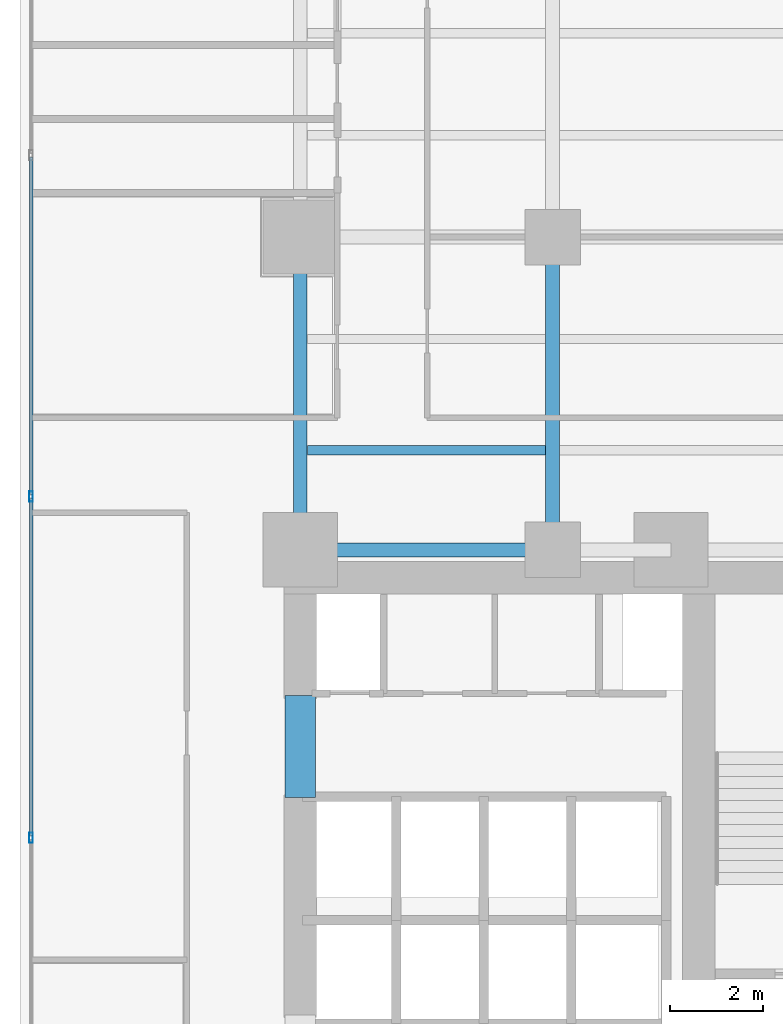
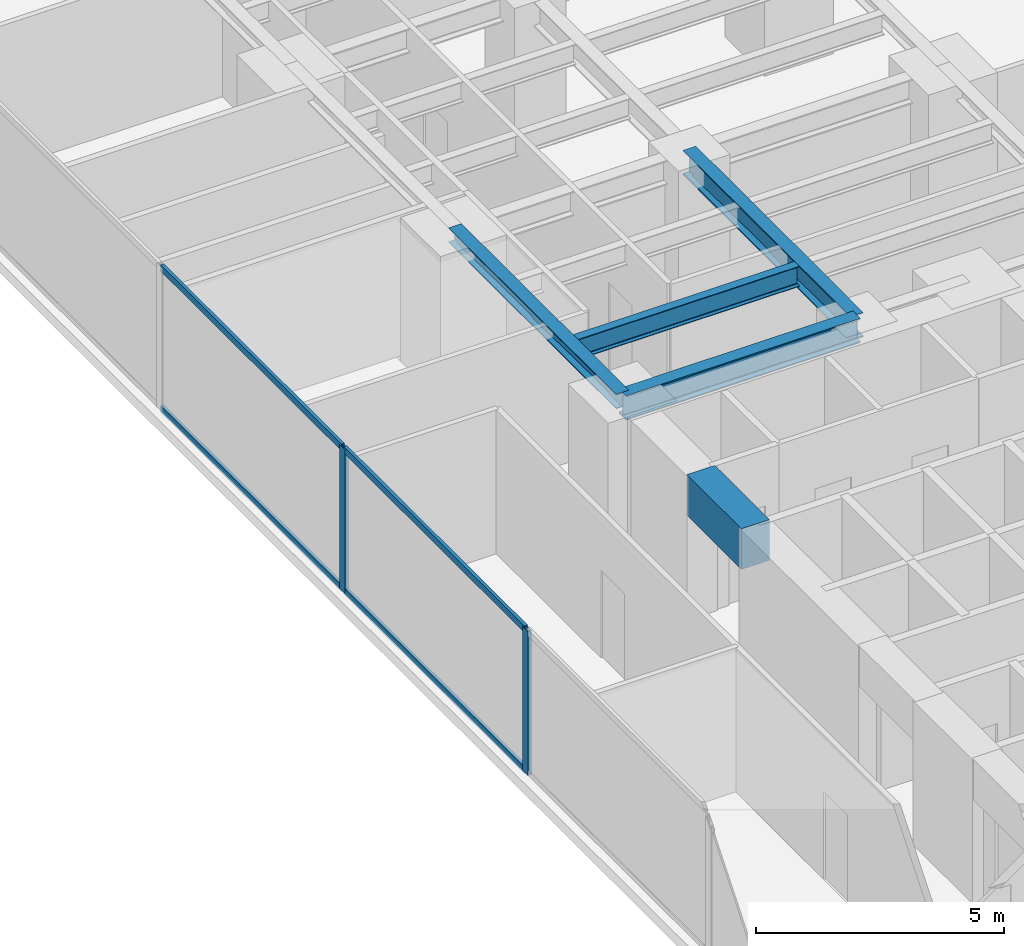
# One storey, part 6 of 30: 6 members, 5 beams, 1 element without a shape of its own.
"""IFC4 building model written with IfcOpenShell, lengths in metres."""

from ifc_helpers import new_model, si_unit, direction, frame, origin, origin_with_axes, origin_2d, place, context, subcontext, project, spatial, rectangle, hollow_rectangle, i_section, extrude, source, transform, mapped, material, layer, layer_set, material_profile, profile_set, type_object, element, aggregate, save


model = new_model("IFC4")

# Units and contexts
model_context = context("Model", 3, precision=1e-05, world=origin(), true_north=direction((0.0, 1.0)))
body_context = subcontext(model_context, "Body", "Model", "MODEL_VIEW")
ifc_project = project(units=[si_unit("LENGTHUNIT", "METRE"), si_unit("AREAUNIT", "SQUARE_METRE"), si_unit("VOLUMEUNIT", "CUBIC_METRE"), si_unit("PLANEANGLEUNIT", "RADIAN"), si_unit("MASSUNIT", "GRAM", prefix="KILO")], contexts=[model_context])

# Site, building, storey
site_placement = place(None, origin())
site = spatial("IfcSite", under=ifc_project, at=site_placement, CompositionType="ELEMENT")
building_placement = place(site_placement, origin())
building = spatial("IfcBuilding", under=site, at=building_placement, Name="Kolvaren Waterfront Exchange", CompositionType="ELEMENT")
storey_placement = place(building_placement, frame((0.0, 0.0, 71.39990234375)))
storey = spatial("IfcBuildingStorey", under=building, at=storey_placement, Name="L18", CompositionType="ELEMENT", Elevation=71.39990234375)

# Beams
ifc_material_1 = material(Name="Steel S355", Category="steel")
ifc_material_profile_1 = material_profile(ifc_material_1, i_section(OverallWidth=0.300048828125, OverallDepth=0.360107421875, WebThickness=0.012451171875, FlangeThickness=0.0224609375, FilletRadius=0.027099609375, at=origin_2d()), Name="HEB360")
ifc_profile_set_1 = profile_set([ifc_material_profile_1], Name="Steel S355")
beam_type_1 = type_object("IfcBeamType", Name="STR-BM-HEB360", PredefinedType="SPANDREL", material=ifc_profile_set_1)
beam_1_placement = place(storey_placement, frame((7.449951171875, 24.449951171875, 3.360107421875), z_axis=(0.0, 1.0, 0.0), x_axis=(-1.0, 0.0, 0.0)))
element("IfcBeam", 1, at=beam_1_placement, inside=storey, type_object=beam_type_1, Name="L18 north-arm edge beam 1", PredefinedType="SPANDREL", context=body_context, shape_type="SweptSolid", body=[
    extrude(i_section(OverallWidth=0.300048828125, OverallDepth=0.360107421875, WebThickness=0.012451171875, FlangeThickness=0.0224609375, FilletRadius=0.027099609375, at=origin_2d()), origin(), (0.0, 0.0, 1.0), 6.75),
])
ifc_material_profile_2 = material_profile(ifc_material_1, i_section(OverallWidth=0.300048828125, OverallDepth=0.60009765625, WebThickness=0.015380859375, FlangeThickness=0.030029296875, FilletRadius=0.027099609375, at=origin_2d()), Name="HEB600")
ifc_profile_set_2 = profile_set([ifc_material_profile_2], Name="Steel S355")
beam_type_2 = type_object("IfcBeamType", Name="STR-BM-HEB600", PredefinedType="BEAM", material=ifc_profile_set_2)
beam_2_placement = place(storey_placement, frame((7.449951171875, 24.449951171875, 3.239990234375), z_axis=(1.0, 0.0, 0.0), x_axis=(0.0, 1.0, 0.0)))
element("IfcBeam", 2, at=beam_2_placement, inside=storey, type_object=beam_type_2, Name="L18 north-arm girder 1A", PredefinedType="BEAM", context=body_context, shape_type="SweptSolid", body=[
    extrude(i_section(OverallWidth=0.300048828125, OverallDepth=0.60009765625, WebThickness=0.015380859375, FlangeThickness=0.030029296875, FilletRadius=0.027099609375, at=origin_2d()), origin(), (0.0, 0.0, 1.0), 5.449951171875),
])
beam_3_placement = place(storey_placement, frame((12.89990234375, 24.449951171875, 3.239990234375), z_axis=(0.0, 1.0, 0.0), x_axis=(-1.0, 0.0, 0.0)))
element("IfcBeam", 3, at=beam_3_placement, inside=storey, type_object=beam_type_2, Name="L18 north-arm edge beam 1", PredefinedType="BEAM", context=body_context, shape_type="SweptSolid", body=[
    extrude(i_section(OverallWidth=0.300048828125, OverallDepth=0.60009765625, WebThickness=0.015380859375, FlangeThickness=0.030029296875, FilletRadius=0.027099609375, at=origin_2d()), origin(), (0.0, 0.0, 1.0), 6.75),
])
ifc_material_profile_3 = material_profile(ifc_material_1, i_section(OverallWidth=0.199951171875, OverallDepth=0.5, WebThickness=0.01025390625, FlangeThickness=0.01611328125, FilletRadius=0.02099609375, at=origin_2d()), Name="IPE500")
ifc_profile_set_3 = profile_set([ifc_material_profile_3], Name="Steel S355")
beam_type_3 = type_object("IfcBeamType", Name="STR-BM-IPE500", PredefinedType="JOIST", material=ifc_profile_set_3)
beam_4_placement = place(storey_placement, frame((7.60205078125, 26.60009765625, 3.2900390625), z_axis=(1.0, 0.0, 0.0), x_axis=(0.0, 1.0, 0.0)))
element("IfcBeam", 4, at=beam_4_placement, inside=storey, type_object=beam_type_3, Name="L18 north-arm composite joist 1A", PredefinedType="JOIST", context=body_context, shape_type="SweptSolid", body=[
    extrude(i_section(OverallWidth=0.199951171875, OverallDepth=0.5, WebThickness=0.01025390625, FlangeThickness=0.01611328125, FilletRadius=0.02099609375, at=origin_2d()), origin(), (0.0, 0.0, 1.0), 5.14599609375),
])
ifc_material_2 = material(Name="Concrete C60/75", Category="concrete")
ifc_material_profile_4 = material_profile(ifc_material_2, rectangle(XDim=0.64990234375, YDim=1.0, at=origin_2d()), Name="RC-CB-1000x650")
ifc_profile_set_4 = profile_set([ifc_material_profile_4], Name="Concrete C60/75")
beam_type_4 = type_object("IfcBeamType", Name="STR-CB-1000", PredefinedType="SPANDREL", material=ifc_profile_set_4)
beam_5_placement = place(storey_placement, frame((7.449951171875, 19.10009765625, 3.0400390625), z_axis=(0.0, 1.0, 0.0), x_axis=(-1.0, 0.0, 0.0)))
element("IfcBeam", 5, at=beam_5_placement, inside=storey, type_object=beam_type_4, Name="L18 core coupling beam 5", PredefinedType="SPANDREL", context=body_context, shape_type="SweptSolid", body=[
    extrude(rectangle(XDim=0.64990234375, YDim=1.0, at=origin_2d()), origin(), (0.0, 0.0, 1.0), 2.199951171875),
])

# Curtain wall, members
ifc_material_3 = material(Name="Anodised aluminium 6063-T6", Category="aluminium")
ifc_layer = layer(ifc_material_3, 0.219970703125, Name="Anodised aluminium 6063-T6")
ifc_layer_set = layer_set([ifc_layer], Name="Anodised aluminium 6063-T6")
curtain_wall_type = type_object("IfcCurtainWallType", Name="ARC-CW-SYS2", PredefinedType="USERDEFINED", material=ifc_layer_set)
curtain_wall_placement = place(storey_placement, origin())
curtain_wall = element("IfcCurtainWall", 6, at=curtain_wall_placement, inside=storey, type_object=curtain_wall_type, Name="L18 stick curtain wall CW2 (CW-L18-W)", ObjectType="STICK CURTAIN WALL", PredefinedType="USERDEFINED")
ifc_material_profile_5 = material_profile(ifc_material_3, hollow_rectangle(XDim=0.074951171875, YDim=0.159912109375, WallThickness=0.00439453125, at=origin_2d()), Name="ALU-TRN-160x75x4.5")
ifc_profile_set_5 = profile_set([ifc_material_profile_5], Name="Anodised aluminium 6063-T6")
member_type_1 = type_object("IfcMemberType", Name="ARC-CWT-160", PredefinedType="USERDEFINED", material=ifc_profile_set_5)
shared_shape_1 = source(origin_with_axes(), body_context, "Body", "SweptSolid", [
    extrude(hollow_rectangle(XDim=0.074951171875, YDim=0.159912109375, WallThickness=0.00439453125, at=origin_2d()), origin(), (0.0, 0.0, 1.0), 7.28662109375),
])
member_1_placement = place(storey_placement, frame((1.639892578125, 18.2734375, 0.03759765625), z_axis=(0.0, 1.0, 0.0), x_axis=(-1.0, 0.0, 0.0)))
member_1 = element("IfcMember", 7, at=member_1_placement, type_object=member_type_1, Name="CW2 transom 3.1", ObjectType="TRANSOM", PredefinedType="USERDEFINED", context=body_context, shape_type="MappedRepresentation", body=[
    mapped(shared_shape_1, transform((0.0, 0.0, 0.0), x_axis=(1.0, 0.0, 0.0), y_axis=(0.0, 1.0, 0.0), z_axis=(0.0, 0.0, 1.0), scale=1.0)),
])
member_2_placement = place(storey_placement, frame((1.639892578125, 18.2734375, 3.502685546875), z_axis=(0.0, 1.0, 0.0), x_axis=(-1.0, 0.0, 0.0)))
member_2 = element("IfcMember", 8, at=member_2_placement, type_object=member_type_1, Name="CW2 transom 3.2", ObjectType="TRANSOM", PredefinedType="USERDEFINED", context=body_context, shape_type="MappedRepresentation", body=[
    mapped(shared_shape_1, transform((0.0, 0.0, 0.0), x_axis=(1.0, 0.0, 0.0), y_axis=(0.0, 1.0, 0.0), z_axis=(0.0, 0.0, 1.0), scale=1.0)),
])
shared_shape_2 = source(origin_with_axes(), body_context, "Body", "SweptSolid", [
    extrude(hollow_rectangle(XDim=0.074951171875, YDim=0.159912109375, WallThickness=0.00439453125, at=origin_2d()), origin(), (0.0, 0.0, 1.0), 7.286865234375),
])
member_3_placement = place(storey_placement, frame((1.639892578125, 25.639892578125, 0.03759765625), z_axis=(0.0, 1.0, 0.0), x_axis=(-1.0, 0.0, 0.0)))
member_3 = element("IfcMember", 9, at=member_3_placement, type_object=member_type_1, Name="CW2 transom 4.1", ObjectType="TRANSOM", PredefinedType="USERDEFINED", context=body_context, shape_type="MappedRepresentation", body=[
    mapped(shared_shape_2, transform((0.0, 0.0, 0.0), x_axis=(1.0, 0.0, 0.0), y_axis=(0.0, 1.0, 0.0), z_axis=(0.0, 0.0, 1.0), scale=1.0)),
])
member_4_placement = place(storey_placement, frame((1.639892578125, 25.639892578125, 3.502685546875), z_axis=(0.0, 1.0, 0.0), x_axis=(-1.0, 0.0, 0.0)))
member_4 = element("IfcMember", 10, at=member_4_placement, type_object=member_type_1, Name="CW2 transom 4.2", ObjectType="TRANSOM", PredefinedType="USERDEFINED", context=body_context, shape_type="MappedRepresentation", body=[
    mapped(shared_shape_2, transform((0.0, 0.0, 0.0), x_axis=(1.0, 0.0, 0.0), y_axis=(0.0, 1.0, 0.0), z_axis=(0.0, 0.0, 1.0), scale=1.0)),
])
ifc_material_profile_6 = material_profile(ifc_material_3, hollow_rectangle(XDim=0.080078125, YDim=0.219970703125, WallThickness=0.0048828125, at=origin_2d()), Name="ALU-MUL-220x80x5")
ifc_profile_set_6 = profile_set([ifc_material_profile_6], Name="Anodised aluminium 6063-T6")
member_type_2 = type_object("IfcMemberType", Name="ARC-CWM-220", PredefinedType="MULLION", material=ifc_profile_set_6)
shared_shape_3 = source(origin_with_axes(), body_context, "Body", "SweptSolid", [
    extrude(hollow_rectangle(XDim=0.080078125, YDim=0.219970703125, WallThickness=0.0048828125, at=origin_2d()), origin(), (0.0, 0.0, 1.0), 3.5400390625),
])
member_5_placement = place(storey_placement, frame((1.639892578125, 18.2333984375, 0.0), z_axis=(0.0, 0.0, 1.0), x_axis=(-1.0, 0.0, 0.0)))
member_5 = element("IfcMember", 11, at=member_5_placement, type_object=member_type_2, Name="CW2 mullion 3", PredefinedType="MULLION", context=body_context, shape_type="MappedRepresentation", body=[
    mapped(shared_shape_3, transform((0.0, 0.0, 0.0), x_axis=(1.0, 0.0, 0.0), y_axis=(0.0, 1.0, 0.0), z_axis=(0.0, 0.0, 1.0), scale=1.0)),
])
member_6_placement = place(storey_placement, frame((1.639892578125, 25.60009765625, 0.0), z_axis=(0.0, 0.0, 1.0), x_axis=(-1.0, 0.0, 0.0)))
member_6 = element("IfcMember", 12, at=member_6_placement, type_object=member_type_2, Name="CW2 mullion 4", PredefinedType="MULLION", context=body_context, shape_type="MappedRepresentation", body=[
    mapped(shared_shape_3, transform((0.0, 0.0, 0.0), x_axis=(1.0, 0.0, 0.0), y_axis=(0.0, 1.0, 0.0), z_axis=(0.0, 0.0, 1.0), scale=1.0)),
])
aggregate(curtain_wall, [member_5, member_6, member_1, member_2, member_3, member_4])

save(model, "model.ifc")
